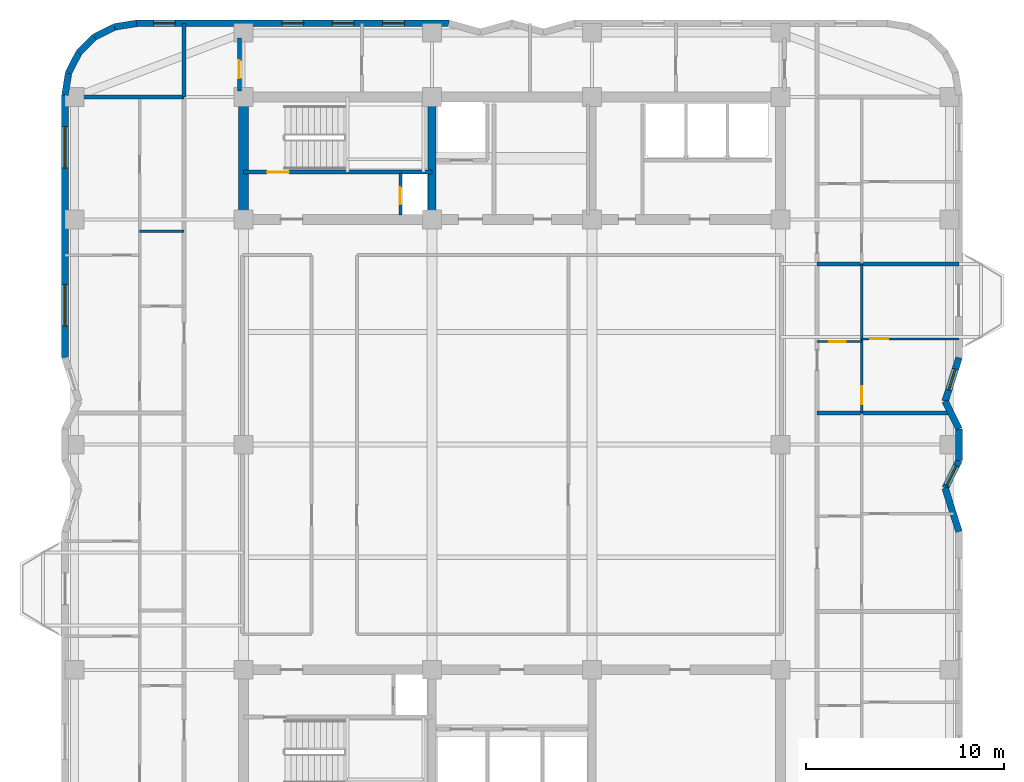
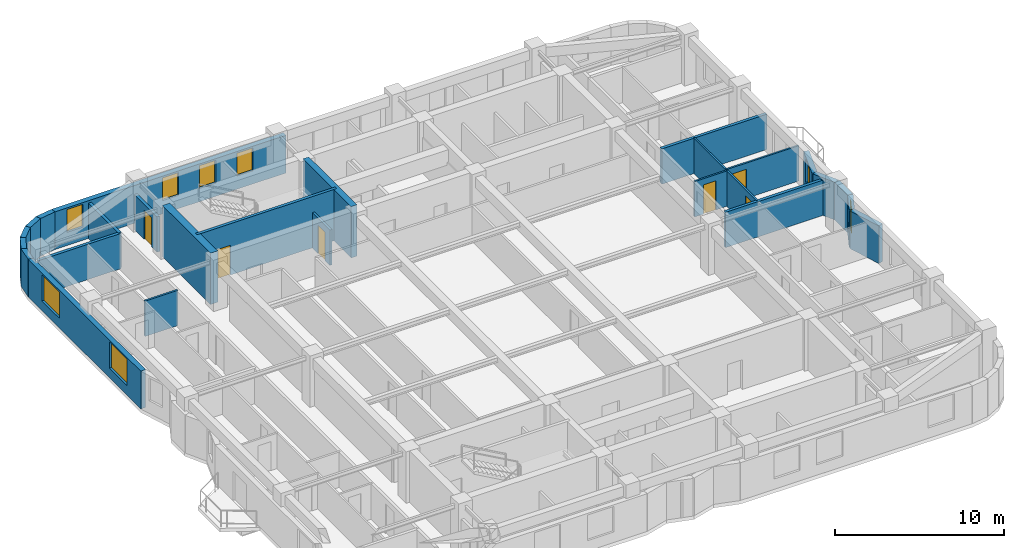
# One storey, part 5 of 9: 25 walls, 8 windows, 6 doors, 14 openings.
"""IFC4 building model written with IfcOpenShell, lengths in metres."""

from ifc_helpers import new_model, si_unit, direction, frame, frame_2d, origin, place, context, subcontext, project, spatial, rectangle, extrude, material, layer, layer_set, type_object, element, fill, save


model = new_model("IFC4")

# Units and contexts
model_context = context("Model", 3, precision=1e-05, world=origin(), true_north=direction((0.0, 1.0)))
body_context = subcontext(model_context, "Body", "Model", "MODEL_VIEW")
ifc_project = project(units=[si_unit("LENGTHUNIT", "METRE"), si_unit("AREAUNIT", "SQUARE_METRE"), si_unit("VOLUMEUNIT", "CUBIC_METRE"), si_unit("PLANEANGLEUNIT", "RADIAN"), si_unit("MASSUNIT", "GRAM", prefix="KILO")], contexts=[model_context])

# Site, building, storey
site_placement = place(None, origin())
site = spatial("IfcSite", under=ifc_project, at=site_placement, CompositionType="ELEMENT")
building_placement = place(site_placement, origin())
building = spatial("IfcBuilding", under=site, at=building_placement, Name="Svetorya Sky Lyceum", CompositionType="ELEMENT")
storey_placement = place(building_placement, frame((0.0, 0.0, 181.10009765625)))
storey = spatial("IfcBuildingStorey", under=building, at=storey_placement, Name="L45", CompositionType="ELEMENT", Elevation=181.10009765625)

# Walls
ifc_material_1 = material(Name="Concrete C40/50", Category="concrete")
ifc_layer_1 = layer(ifc_material_1, 0.39990234375)
ifc_layer_set_1 = layer_set([ifc_layer_1], Name="Concrete C40/50")
wall_type_1 = type_object("IfcWallType", Name="WL-CORE-400", PredefinedType="SHEAR", material=ifc_layer_set_1)
wall_1_placement = place(storey_placement, frame((35.14990234375, 39.85009765625, 0.0), z_axis=(0.0, 0.0, 1.0), x_axis=(0.0, 1.0, 0.0)))
element("IfcWall", 1, at=wall_1_placement, inside=storey, type_object=wall_type_1, Name="L45 NC Internal Shear Web WEB1", PredefinedType="SHEAR", context=body_context, shape_type="SweptSolid", body=[
    extrude(rectangle(XDim=5.699951171875, YDim=0.39990234375, at=frame_2d((2.85009765625, 0.0))), origin(), (0.0, 0.0, 1.0), 3.699951171875),
])
ifc_material_2 = material(Name="Concrete C50/60", Category="concrete")
ifc_layer_2 = layer(ifc_material_2, 0.5)
ifc_layer_set_2 = layer_set([ifc_layer_2], Name="Concrete C50/60")
wall_type_2 = type_object("IfcWallType", Name="WL-CORE-500", PredefinedType="SHEAR", material=ifc_layer_set_2)
wall_2_placement = place(storey_placement, frame((25.60009765625, 39.85009765625, 0.0), z_axis=(0.0, 0.0, 1.0), x_axis=(0.0, 1.0, 0.0)))
element("IfcWall", 2, at=wall_2_placement, inside=storey, type_object=wall_type_2, Name="L45 NC West Core Shear Wall", PredefinedType="SHEAR", context=body_context, shape_type="SweptSolid", body=[
    extrude(rectangle(XDim=5.699951171875, YDim=0.5, at=frame_2d((2.85009765625, 0.0))), origin(), (0.0, 0.0, 1.0), 3.699951171875),
])
ifc_material_3 = material(Name="Putilovo limestone rainscreen on autoclaved cellular masonry", Category="masonry")
ifc_layer_3 = layer(ifc_material_3, 0.340087890625)
ifc_layer_set_3 = layer_set([ifc_layer_3], Name="Putilovo limestone rainscreen on autoclaved cellular masonry")
wall_type_3 = type_object("IfcWallType", Name="WL-EXT-340", PredefinedType="SOLIDWALL", material=ifc_layer_set_3)
wall_3_placement = place(storey_placement, frame((61.830078125, 23.800048828125, 0.0), z_axis=(0.0, 0.0, 1.0), x_axis=(-0.303286588318, 0.95289938889, 0.0)))
element("IfcWall", 3, at=wall_3_placement, inside=storey, type_object=wall_type_3, Name="L45 Limestone Exterior Wall 18M", PredefinedType="SOLIDWALL", context=body_context, shape_type="SweptSolid", body=[
    extrude(rectangle(XDim=2.30859375, YDim=0.340087890625, at=frame_2d((1.154296875, 0.0))), origin(), (0.0, 0.0, 1.0), 2.719970703125),
])

# Wall, opening, window
wall_4_placement = place(storey_placement, frame((61.1298828125, 26.0, 0.0), z_axis=(0.0, 0.0, 1.0), x_axis=(0.447338371726, 0.894364792007, 0.0)))
wall_4 = element("IfcWall", 4, at=wall_4_placement, inside=storey, type_object=wall_type_3, Name="L45 Limestone Exterior Wall 19M", PredefinedType="SOLIDWALL", context=body_context, shape_type="SweptSolid", body=[
    extrude(rectangle(XDim=1.565185546875, YDim=0.340087890625, at=frame_2d((0.78271484375, 0.0))), origin(), (0.0, 0.0, 1.0), 2.719970703125),
])
opening_1_placement = place(wall_4_placement, frame((0.159912109375, 0.0, 0.909912109375)))
opening_1 = element("IfcOpeningElement", 5, at=opening_1_placement, cuts=wall_4, Name="Opening W-R3", PredefinedType="OPENING", context=body_context, shape_type="SweptSolid", body=[
    extrude(rectangle(XDim=1.10009765625, YDim=1.64990234375, at=frame_2d((0.550048828125, 0.824951171875))), frame((0.0, 0.179931640625, 0.0), z_axis=(0.0, -1.0, 0.0), x_axis=(1.0, 0.0, 0.0)), (0.0, 0.0, 1.0), 0.360107421875),
])
ifc_material_4 = material(Name="Thermally broken aluminium frame with triple low-E glazing", Category="aluminium")
window_type_1 = type_object("IfcWindowType", Name="WN-RES-110", PartitioningType="SINGLE_PANEL", PredefinedType="WINDOW", material=ifc_material_4)
window_1_placement = place(opening_1_placement, origin())
window_1 = element("IfcWindow", 6, at=window_1_placement, inside=storey, type_object=window_type_1, Name="L45 Facade Window W-R3.19M.1", OverallHeight=1.64990234375, OverallWidth=1.10009765625, PartitioningType="SINGLE_PANEL", PredefinedType="WINDOW", context=body_context, shape_type="SweptSolid", body=[
    extrude(rectangle(XDim=1.10009765625, YDim=1.64990234375, at=frame_2d((0.550048828125, 0.824951171875))), frame((0.0, 0.030029296875, 0.0), z_axis=(0.0, -1.0, 0.0), x_axis=(1.0, 0.0, 0.0)), (0.0, 0.0, 1.0), 0.06005859375),
])
fill(opening_1, window_1)

# Walls
wall_5_placement = place(storey_placement, frame((61.830078125, 27.39990234375, 0.0), z_axis=(0.0, 0.0, 1.0), x_axis=(0.0, 1.0, 0.0)))
element("IfcWall", 7, at=wall_5_placement, inside=storey, type_object=wall_type_3, Name="L45 Limestone Exterior Wall 20M", PredefinedType="SOLIDWALL", context=body_context, shape_type="SweptSolid", body=[
    extrude(rectangle(XDim=1.60009765625, YDim=0.340087890625, at=frame_2d((0.800048828125, 0.0))), origin(), (0.0, 0.0, 1.0), 2.719970703125),
])
wall_6_placement = place(storey_placement, frame((61.830078125, 29.0, 0.0), z_axis=(0.0, 0.0, 1.0), x_axis=(-0.447338371726, 0.894364792007, 0.0)))
element("IfcWall", 8, at=wall_6_placement, inside=storey, type_object=wall_type_3, Name="L45 Limestone Exterior Wall 21M", PredefinedType="SOLIDWALL", context=body_context, shape_type="SweptSolid", body=[
    extrude(rectangle(XDim=1.565185546875, YDim=0.340087890625, at=frame_2d((0.78271484375, 0.0))), origin(), (0.0, 0.0, 1.0), 2.719970703125),
])

# Wall, opening, window
wall_7_placement = place(storey_placement, frame((61.1298828125, 30.39990234375, 0.0), z_axis=(0.0, 0.0, 1.0), x_axis=(0.303256029766, 0.952909114454, 0.0)))
wall_7 = element("IfcWall", 9, at=wall_7_placement, inside=storey, type_object=wall_type_3, Name="L45 Limestone Exterior Wall 22M", PredefinedType="SOLIDWALL", context=body_context, shape_type="SweptSolid", body=[
    extrude(rectangle(XDim=2.308837890625, YDim=0.340087890625, at=frame_2d((1.154296875, 0.0))), origin(), (0.0, 0.0, 1.0), 2.719970703125),
])
opening_2_placement = place(wall_7_placement, frame((0.604248046875, 0.0, 0.909912109375)))
opening_2 = element("IfcOpeningElement", 10, at=opening_2_placement, cuts=wall_7, Name="Opening W-R3", PredefinedType="OPENING", context=body_context, shape_type="SweptSolid", body=[
    extrude(rectangle(XDim=1.10009765625, YDim=1.64990234375, at=frame_2d((0.550048828125, 0.824951171875))), frame((0.0, 0.179931640625, 0.0), z_axis=(0.0, -1.0, 0.0), x_axis=(1.0, 0.0, 0.0)), (0.0, 0.0, 1.0), 0.360107421875),
])
window_2_placement = place(opening_2_placement, origin())
window_2 = element("IfcWindow", 11, at=window_2_placement, inside=storey, type_object=window_type_1, Name="L45 Facade Window W-R3.22M.1", OverallHeight=1.64990234375, OverallWidth=1.10009765625, PartitioningType="SINGLE_PANEL", PredefinedType="WINDOW", context=body_context, shape_type="SweptSolid", body=[
    extrude(rectangle(XDim=1.10009765625, YDim=1.64990234375, at=frame_2d((0.550048828125, 0.824951171875))), frame((0.0, 0.030029296875, 0.0), z_axis=(0.0, -1.0, 0.0), x_axis=(1.0, 0.0, 0.0)), (0.0, 0.0, 1.0), 0.06005859375),
])
fill(opening_2, window_2)

# Wall, openings, windows
wall_8_placement = place(storey_placement, frame((36.0, 49.530029296875, 0.0), z_axis=(0.0, 0.0, 1.0), x_axis=(-1.0, 0.0, 0.0)))
wall_8 = element("IfcWall", 12, at=wall_8_placement, inside=storey, type_object=wall_type_3, Name="L45 Limestone Exterior Wall 34M", PredefinedType="SOLIDWALL", context=body_context, shape_type="SweptSolid", body=[
    extrude(rectangle(XDim=15.800048828125, YDim=0.340087890625, at=frame_2d((7.89990234375, 0.0))), origin(), (0.0, 0.0, 1.0), 2.719970703125),
])
opening_3_placement = place(wall_8_placement, frame((2.25, 0.0, 0.949951171875)))
opening_3 = element("IfcOpeningElement", 13, at=opening_3_placement, cuts=wall_8, Name="Opening W-R3", PredefinedType="OPENING", context=body_context, shape_type="SweptSolid", body=[
    extrude(rectangle(XDim=1.10009765625, YDim=1.64990234375, at=frame_2d((0.550048828125, 0.824951171875))), frame((0.0, 0.179931640625, 0.0), z_axis=(0.0, -1.0, 0.0), x_axis=(1.0, 0.0, 0.0)), (0.0, 0.0, 1.0), 0.360107421875),
])
opening_4_placement = place(wall_8_placement, frame((4.800048828125, 0.0, 0.949951171875)))
opening_4 = element("IfcOpeningElement", 14, at=opening_4_placement, cuts=wall_8, Name="Opening W-R3", PredefinedType="OPENING", context=body_context, shape_type="SweptSolid", body=[
    extrude(rectangle(XDim=1.10009765625, YDim=1.64990234375, at=frame_2d((0.550048828125, 0.824951171875))), frame((0.0, 0.179931640625, 0.0), z_axis=(0.0, -1.0, 0.0), x_axis=(1.0, 0.0, 0.0)), (0.0, 0.0, 1.0), 0.360107421875),
])
opening_5_placement = place(wall_8_placement, frame((7.35009765625, 0.0, 0.949951171875)))
opening_5 = element("IfcOpeningElement", 15, at=opening_5_placement, cuts=wall_8, Name="Opening W-R3", PredefinedType="OPENING", context=body_context, shape_type="SweptSolid", body=[
    extrude(rectangle(XDim=1.10009765625, YDim=1.64990234375, at=frame_2d((0.550048828125, 0.824951171875))), frame((0.0, 0.179931640625, 0.0), z_axis=(0.0, -1.0, 0.0), x_axis=(1.0, 0.0, 0.0)), (0.0, 0.0, 1.0), 0.360107421875),
])
opening_6_placement = place(wall_8_placement, frame((13.85009765625, 0.0, 0.949951171875)))
opening_6 = element("IfcOpeningElement", 16, at=opening_6_placement, cuts=wall_8, Name="Opening W-R3", PredefinedType="OPENING", context=body_context, shape_type="SweptSolid", body=[
    extrude(rectangle(XDim=1.10009765625, YDim=1.64990234375, at=frame_2d((0.550048828125, 0.824951171875))), frame((0.0, 0.179931640625, 0.0), z_axis=(0.0, -1.0, 0.0), x_axis=(1.0, 0.0, 0.0)), (0.0, 0.0, 1.0), 0.360107421875),
])
window_3_placement = place(opening_3_placement, origin())
window_3 = element("IfcWindow", 17, at=window_3_placement, inside=storey, type_object=window_type_1, Name="L45 Facade Window W-R3.34M.1", OverallHeight=1.64990234375, OverallWidth=1.10009765625, PartitioningType="SINGLE_PANEL", PredefinedType="WINDOW", context=body_context, shape_type="SweptSolid", body=[
    extrude(rectangle(XDim=1.10009765625, YDim=1.64990234375, at=frame_2d((0.550048828125, 0.824951171875))), frame((0.0, 0.030029296875, 0.0), z_axis=(0.0, -1.0, 0.0), x_axis=(1.0, 0.0, 0.0)), (0.0, 0.0, 1.0), 0.06005859375),
])
fill(opening_3, window_3)
window_4_placement = place(opening_4_placement, origin())
window_4 = element("IfcWindow", 18, at=window_4_placement, inside=storey, type_object=window_type_1, Name="L45 Facade Window W-R3.34M.2", OverallHeight=1.64990234375, OverallWidth=1.10009765625, PartitioningType="SINGLE_PANEL", PredefinedType="WINDOW", context=body_context, shape_type="SweptSolid", body=[
    extrude(rectangle(XDim=1.10009765625, YDim=1.64990234375, at=frame_2d((0.550048828125, 0.824951171875))), frame((0.0, 0.030029296875, 0.0), z_axis=(0.0, -1.0, 0.0), x_axis=(1.0, 0.0, 0.0)), (0.0, 0.0, 1.0), 0.06005859375),
])
fill(opening_4, window_4)
window_5_placement = place(opening_5_placement, origin())
window_5 = element("IfcWindow", 19, at=window_5_placement, inside=storey, type_object=window_type_1, Name="L45 Facade Window W-R3.34M.3", OverallHeight=1.64990234375, OverallWidth=1.10009765625, PartitioningType="SINGLE_PANEL", PredefinedType="WINDOW", context=body_context, shape_type="SweptSolid", body=[
    extrude(rectangle(XDim=1.10009765625, YDim=1.64990234375, at=frame_2d((0.550048828125, 0.824951171875))), frame((0.0, 0.030029296875, 0.0), z_axis=(0.0, -1.0, 0.0), x_axis=(1.0, 0.0, 0.0)), (0.0, 0.0, 1.0), 0.06005859375),
])
fill(opening_5, window_5)
window_6_placement = place(opening_6_placement, origin())
window_6 = element("IfcWindow", 20, at=window_6_placement, inside=storey, type_object=window_type_1, Name="L45 Facade Window W-R3.34M.4", OverallHeight=1.64990234375, OverallWidth=1.10009765625, PartitioningType="SINGLE_PANEL", PredefinedType="WINDOW", context=body_context, shape_type="SweptSolid", body=[
    extrude(rectangle(XDim=1.10009765625, YDim=1.64990234375, at=frame_2d((0.550048828125, 0.824951171875))), frame((0.0, 0.030029296875, 0.0), z_axis=(0.0, -1.0, 0.0), x_axis=(1.0, 0.0, 0.0)), (0.0, 0.0, 1.0), 0.06005859375),
])
fill(opening_6, window_6)

# Walls
wall_9_placement = place(storey_placement, frame((20.199951171875, 49.530029296875, 0.0), z_axis=(0.0, 0.0, 1.0), x_axis=(-0.987675651954, -0.156514556949, 0.0)))
element("IfcWall", 21, at=wall_9_placement, inside=storey, type_object=wall_type_3, Name="L45 Limestone Exterior Wall 35M", PredefinedType="SOLIDWALL", context=body_context, shape_type="SweptSolid", body=[
    extrude(rectangle(XDim=1.135498046875, YDim=0.340087890625, at=frame_2d((0.56787109375, 0.0))), origin(), (0.0, 0.0, 1.0), 2.719970703125),
])
for number, where, z_axis, x_axis, name in (
    (22, (19.078369140625, 49.352294921875, 0.0), (0.0, 0.0, 1.0), (-0.891005044957, -0.453993402883, 0.0), "L45 Limestone Exterior Wall 36M"),
    (23, (18.06640625, 48.836669921875, 0.0), (0.0, 0.0, 1.0), (-0.707214252388, -0.706999293649, 0.0), "L45 Limestone Exterior Wall 37M"),
    (24, (17.26318359375, 48.03369140625, 0.0), (0.0, 0.0, 1.0), (-0.453822724105, -0.891091990249, 0.0), "L45 Limestone Exterior Wall 38M"),
    (25, (16.747802734375, 47.021728515625, 0.0), (0.0, 0.0, 1.0), (-0.156481329164, -0.987680916907, 0.0), "L45 Limestone Exterior Wall 39M"),
):
    element("IfcWall", number, at=place(storey_placement, frame(where, z_axis=z_axis, x_axis=x_axis)), inside=storey, type_object=wall_type_3, Name=name, PredefinedType="SOLIDWALL", context=body_context, shape_type="SweptSolid", body=[
        extrude(rectangle(XDim=1.1357421875, YDim=0.340087890625, at=frame_2d((0.56787109375, 0.0))), origin(), (0.0, 0.0, 1.0), 2.719970703125),
    ])

# Wall, openings, windows
wall_10_placement = place(storey_placement, frame((16.570068359375, 45.89990234375, 0.0), z_axis=(0.0, 0.0, 1.0), x_axis=(0.0, -1.0, 0.0)))
wall_10 = element("IfcWall", 26, at=wall_10_placement, inside=storey, type_object=wall_type_3, Name="L45 Limestone Exterior Wall 40M", PredefinedType="SOLIDWALL", context=body_context, shape_type="SweptSolid", body=[
    extrude(rectangle(XDim=13.2998046875, YDim=0.340087890625, at=frame_2d((6.64990234375, 0.0))), origin(), (0.0, 0.0, 1.0), 2.719970703125),
])
opening_7_placement = place(wall_10_placement, frame((1.60009765625, 0.0, 0.699951171875)))
opening_7 = element("IfcOpeningElement", 27, at=opening_7_placement, cuts=wall_10, Name="Opening W-R0", PredefinedType="OPENING", context=body_context, shape_type="SweptSolid", body=[
    extrude(rectangle(XDim=2.10009765625, YDim=1.89990234375, at=frame_2d((1.050048828125, 0.949951171875))), frame((0.0, 0.179931640625, 0.0), z_axis=(0.0, -1.0, 0.0), x_axis=(1.0, 0.0, 0.0)), (0.0, 0.0, 1.0), 0.360107421875),
])
opening_8_placement = place(wall_10_placement, frame((9.60009765625, 0.0, 0.699951171875)))
opening_8 = element("IfcOpeningElement", 28, at=opening_8_placement, cuts=wall_10, Name="Opening W-R0", PredefinedType="OPENING", context=body_context, shape_type="SweptSolid", body=[
    extrude(rectangle(XDim=2.10009765625, YDim=1.89990234375, at=frame_2d((1.050048828125, 0.949951171875))), frame((0.0, 0.179931640625, 0.0), z_axis=(0.0, -1.0, 0.0), x_axis=(1.0, 0.0, 0.0)), (0.0, 0.0, 1.0), 0.360107421875),
])
window_type_2 = type_object("IfcWindowType", Name="WN-RES-210", PartitioningType="TRIPLE_PANEL_VERTICAL", PredefinedType="WINDOW", material=ifc_material_4)
window_7_placement = place(opening_7_placement, origin())
window_7 = element("IfcWindow", 29, at=window_7_placement, inside=storey, type_object=window_type_2, Name="L45 Facade Window W-R0.40M.1", OverallHeight=1.89990234375, OverallWidth=2.10009765625, PartitioningType="SINGLE_PANEL", PredefinedType="WINDOW", context=body_context, shape_type="SweptSolid", body=[
    extrude(rectangle(XDim=2.10009765625, YDim=1.89990234375, at=frame_2d((1.050048828125, 0.949951171875))), frame((0.0, 0.030029296875, 0.0), z_axis=(0.0, -1.0, 0.0), x_axis=(1.0, 0.0, 0.0)), (0.0, 0.0, 1.0), 0.06005859375),
])
fill(opening_7, window_7)
window_8_placement = place(opening_8_placement, origin())
window_8 = element("IfcWindow", 30, at=window_8_placement, inside=storey, type_object=window_type_2, Name="L45 Facade Window W-R0.40M.2", OverallHeight=1.89990234375, OverallWidth=2.10009765625, PartitioningType="SINGLE_PANEL", PredefinedType="WINDOW", context=body_context, shape_type="SweptSolid", body=[
    extrude(rectangle(XDim=2.10009765625, YDim=1.89990234375, at=frame_2d((1.050048828125, 0.949951171875))), frame((0.0, 0.030029296875, 0.0), z_axis=(0.0, -1.0, 0.0), x_axis=(1.0, 0.0, 0.0)), (0.0, 0.0, 1.0), 0.06005859375),
])
fill(opening_8, window_8)

# Wall, opening, door
ifc_material_5 = material(Name="Twin-stud galvanized framing with double fireboard", Category="gypsum")
ifc_layer_4 = layer(ifc_material_5, 0.1201171875)
ifc_layer_set_4 = layer_set([ifc_layer_4], Name="Twin-stud galvanized framing with double fireboard")
wall_type_4 = type_object("IfcWallType", Name="WL-PART-120", PredefinedType="PARTITIONING", material=ifc_layer_set_4)
wall_11_placement = place(storey_placement, frame((54.64990234375, 33.419921875, 0.0), z_axis=(0.0, 0.0, 1.0), x_axis=(1.0, 0.0, 0.0)))
wall_11 = element("IfcWall", 31, at=wall_11_placement, inside=storey, type_object=wall_type_4, Name="L45 Interior Partition E3-WH1", PredefinedType="PARTITIONING", context=body_context, shape_type="SweptSolid", body=[
    extrude(rectangle(XDim=2.25, YDim=0.1201171875, at=frame_2d((1.125, 0.0))), origin(), (0.0, 0.0, 1.0), 2.5498046875),
])
opening_9_placement = place(wall_11_placement, frame((0.60009765625, 0.0, 0.0)))
opening_9 = element("IfcOpeningElement", 32, at=opening_9_placement, cuts=wall_11, Name="Opening D-BT1", PredefinedType="OPENING", context=body_context, shape_type="SweptSolid", body=[
    extrude(rectangle(XDim=0.85009765625, YDim=2.10009765625, at=frame_2d((0.425048828125, 1.050048828125))), frame((0.0, 0.070068359375, 0.0), z_axis=(0.0, -1.0, 0.0), x_axis=(1.0, 0.0, 0.0)), (0.0, 0.0, 1.0), 0.14013671875),
])
ifc_material_6 = material(Name="Moisture-resistant laminate bathroom door")
door_type_1 = type_object("IfcDoorType", Name="DR-WET-850", OperationType="SINGLE_SWING_LEFT", PredefinedType="DOOR", material=ifc_material_6)
door_1_placement = place(opening_9_placement, origin())
door_1 = element("IfcDoor", 33, at=door_1_placement, inside=storey, type_object=door_type_1, Name="Apartment E3 Bathroom Door", OperationType="SINGLE_SWING_RIGHT", OverallHeight=2.10009765625, OverallWidth=0.85009765625, PredefinedType="DOOR", context=body_context, shape_type="SweptSolid", body=[
    extrude(rectangle(XDim=0.85009765625, YDim=2.10009765625, at=frame_2d((0.425048828125, 1.050048828125))), frame((0.0, 0.02490234375, 0.0), z_axis=(0.0, -1.0, 0.0), x_axis=(1.0, 0.0, 0.0)), (0.0, 0.0, 1.0), 0.050048828125),
])
fill(opening_9, door_1)

wall_12_placement = place(storey_placement, frame((56.89990234375, 33.550048828125, 0.0), z_axis=(0.0, 0.0, 1.0), x_axis=(1.0, 0.0, 0.0)))
wall_12 = element("IfcWall", 34, at=wall_12_placement, inside=storey, type_object=wall_type_4, Name="L45 Interior Partition E3-WL1", PredefinedType="PARTITIONING", context=body_context, shape_type="SweptSolid", body=[
    extrude(rectangle(XDim=4.93017578125, YDim=0.1201171875, at=frame_2d((2.465087890625, 0.0))), origin(), (0.0, 0.0, 1.0), 2.5498046875),
])
opening_10_placement = place(wall_12_placement, frame((0.449951171875, 0.0, 0.0)))
opening_10 = element("IfcOpeningElement", 35, at=opening_10_placement, cuts=wall_12, Name="Opening D-RM1", PredefinedType="OPENING", context=body_context, shape_type="SweptSolid", body=[
    extrude(rectangle(XDim=0.89990234375, YDim=2.10009765625, at=frame_2d((0.449951171875, 1.050048828125))), frame((0.0, 0.070068359375, 0.0), z_axis=(0.0, -1.0, 0.0), x_axis=(1.0, 0.0, 0.0)), (0.0, 0.0, 1.0), 0.14013671875),
])
ifc_material_7 = material(Name="Lacquered birch veneer internal door")
door_type_2 = type_object("IfcDoorType", Name="DR-INT-900", OperationType="SINGLE_SWING_LEFT", PredefinedType="DOOR", material=ifc_material_7)
door_2_placement = place(opening_10_placement, origin())
door_2 = element("IfcDoor", 36, at=door_2_placement, inside=storey, type_object=door_type_2, Name="Apartment E3 Bedroom 1 Door", OperationType="SINGLE_SWING_RIGHT", OverallHeight=2.10009765625, OverallWidth=0.89990234375, PredefinedType="DOOR", context=body_context, shape_type="SweptSolid", body=[
    extrude(rectangle(XDim=0.89990234375, YDim=2.10009765625, at=frame_2d((0.449951171875, 1.050048828125))), frame((0.0, 0.02490234375, 0.0), z_axis=(0.0, -1.0, 0.0), x_axis=(1.0, 0.0, 0.0)), (0.0, 0.0, 1.0), 0.050048828125),
])
fill(opening_10, door_2)

wall_13_placement = place(storey_placement, frame((56.89990234375, 29.840087890625, 0.0), z_axis=(0.0, 0.0, 1.0), x_axis=(0.0, 1.0, 0.0)))
wall_13 = element("IfcWall", 37, at=wall_13_placement, inside=storey, type_object=wall_type_4, Name="L45 Interior Partition E3-WV", PredefinedType="PARTITIONING", context=body_context, shape_type="SweptSolid", body=[
    extrude(rectangle(XDim=7.471923828125, YDim=0.1201171875, at=frame_2d((3.73583984375, 0.0))), origin(), (0.0, 0.0, 1.0), 2.5498046875),
])
opening_11_placement = place(wall_13_placement, frame((0.409912109375, 0.0, 0.0)))
opening_11 = element("IfcOpeningElement", 38, at=opening_11_placement, cuts=wall_13, Name="Opening D-RM1", PredefinedType="OPENING", context=body_context, shape_type="SweptSolid", body=[
    extrude(rectangle(XDim=0.89990234375, YDim=2.10009765625, at=frame_2d((0.449951171875, 1.050048828125))), frame((0.0, 0.070068359375, 0.0), z_axis=(0.0, -1.0, 0.0), x_axis=(1.0, 0.0, 0.0)), (0.0, 0.0, 1.0), 0.14013671875),
])
door_3_placement = place(opening_11_placement, origin())
door_3 = element("IfcDoor", 39, at=door_3_placement, inside=storey, type_object=door_type_2, Name="Apartment E3 Living Door", OperationType="SINGLE_SWING_LEFT", OverallHeight=2.10009765625, OverallWidth=0.89990234375, PredefinedType="DOOR", context=body_context, shape_type="SweptSolid", body=[
    extrude(rectangle(XDim=0.89990234375, YDim=2.10009765625, at=frame_2d((0.449951171875, 1.050048828125))), frame((0.0, 0.02490234375, 0.0), z_axis=(0.0, -1.0, 0.0), x_axis=(1.0, 0.0, 0.0)), (0.0, 0.0, 1.0), 0.050048828125),
])
fill(opening_11, door_3)

# Wall
ifc_material_8 = material(Name="Twin-stud galvanized framing with acoustic board", Category="gypsum")
ifc_layer_5 = layer(ifc_material_8, 0.135009765625)
ifc_layer_set_5 = layer_set([ifc_layer_5], Name="Twin-stud galvanized framing with acoustic board")
wall_type_5 = type_object("IfcWallType", Name="WL-PART-135", PredefinedType="PARTITIONING", material=ifc_layer_set_5)
wall_14_placement = place(storey_placement, frame((20.35009765625, 39.0, 0.0), z_axis=(0.0, 0.0, 1.0), x_axis=(1.0, 0.0, 0.0)))
element("IfcWall", 40, at=wall_14_placement, inside=storey, type_object=wall_type_5, Name="L45 Interior Partition W2-WH2", PredefinedType="PARTITIONING", context=body_context, shape_type="SweptSolid", body=[
    extrude(rectangle(XDim=2.25, YDim=0.135009765625, at=frame_2d((1.125, 0.0))), origin(), (0.0, 0.0, 1.0), 2.5498046875),
])

# Wall, opening, door
ifc_material_9 = material(Name="Autoclaved cellular masonry blockwork with acoustic render", Category="masonry")
ifc_layer_6 = layer(ifc_material_9, 0.14990234375)
ifc_layer_set_6 = layer_set([ifc_layer_6], Name="Autoclaved cellular masonry blockwork with acoustic render")
wall_type_6 = type_object("IfcWallType", Name="WL-PART-150", PredefinedType="PARTITIONING", material=ifc_layer_set_6)
wall_15_placement = place(storey_placement, frame((33.550048828125, 39.820068359375, 0.0), z_axis=(0.0, 0.0, 1.0), x_axis=(0.0, 1.0, 0.0)))
wall_15 = element("IfcWall", 41, at=wall_15_placement, inside=storey, type_object=wall_type_6, Name="L45 Interior Partition NC-RSRW", PredefinedType="PARTITIONING", context=body_context, shape_type="SweptSolid", body=[
    extrude(rectangle(XDim=2.1298828125, YDim=0.14990234375, at=frame_2d((1.06494140625, 0.0))), origin(), (0.0, 0.0, 1.0), 2.5498046875),
])
opening_12_placement = place(wall_15_placement, frame((0.550048828125, 0.0, 0.0)))
opening_12 = element("IfcOpeningElement", 42, at=opening_12_placement, cuts=wall_15, Name="Opening D-SH1", PredefinedType="OPENING", context=body_context, shape_type="SweptSolid", body=[
    extrude(rectangle(XDim=0.85009765625, YDim=2.050048828125, at=frame_2d((0.425048828125, 1.02490234375))), frame((0.0, 0.0849609375, 0.0), z_axis=(0.0, -1.0, 0.0), x_axis=(1.0, 0.0, 0.0)), (0.0, 0.0, 1.0), 0.169921875),
])
ifc_material_10 = material(Name="Insulated galvanized riser inspection fire door")
door_type_3 = type_object("IfcDoorType", Name="DR-SHFT-850", OperationType="SINGLE_SWING_LEFT", PredefinedType="TRAPDOOR", material=ifc_material_10)
door_4_placement = place(opening_12_placement, origin())
door_4 = element("IfcDoor", 43, at=door_4_placement, inside=storey, type_object=door_type_3, Name="L45 North Riser Access Door", OperationType="SINGLE_SWING_LEFT", OverallHeight=2.050048828125, OverallWidth=0.85009765625, PredefinedType="TRAPDOOR", context=body_context, shape_type="SweptSolid", body=[
    extrude(rectangle(XDim=0.85009765625, YDim=2.050048828125, at=frame_2d((0.425048828125, 1.02490234375))), frame((0.0, 0.02490234375, 0.0), z_axis=(0.0, -1.0, 0.0), x_axis=(1.0, 0.0, 0.0)), (0.0, 0.0, 1.0), 0.050048828125),
])
fill(opening_12, door_4)

# Walls
ifc_material_11 = material(Name="Autoclaved cellular masonry blockwork with gypsum plaster", Category="masonry")
ifc_layer_7 = layer(ifc_material_11, 0.199951171875)
ifc_layer_set_7 = layer_set([ifc_layer_7], Name="Autoclaved cellular masonry blockwork with gypsum plaster")
wall_type_7 = type_object("IfcWallType", Name="WL-PART-200", PredefinedType="PARTITIONING", material=ifc_layer_set_7)
wall_16_placement = place(storey_placement, frame((16.989990234375, 45.800048828125, 0.0), z_axis=(0.0, 0.0, 1.0), x_axis=(1.0, 0.0, 0.0)))
element("IfcWall", 44, at=wall_16_placement, inside=storey, type_object=wall_type_7, Name="L45 Interior Partition W-CAP-N", PredefinedType="PARTITIONING", context=body_context, shape_type="SweptSolid", body=[
    extrude(rectangle(XDim=5.610107421875, YDim=0.199951171875, at=frame_2d((2.80517578125, 0.0))), origin(), (0.0, 0.0, 1.0), 2.5498046875),
])
wall_17_placement = place(storey_placement, frame((54.64990234375, 29.800048828125, 0.0), z_axis=(0.0, 0.0, 1.0), x_axis=(1.0, 0.0, 0.0)))
element("IfcWall", 45, at=wall_17_placement, inside=storey, type_object=wall_type_7, Name="L45 Interior Partition E-PARTY-2", PredefinedType="PARTITIONING", context=body_context, shape_type="SweptSolid", body=[
    extrude(rectangle(XDim=6.780029296875, YDim=0.199951171875, at=frame_2d((3.39013671875, 0.0))), origin(), (0.0, 0.0, 1.0), 2.5498046875),
])
wall_18_placement = place(storey_placement, frame((54.64990234375, 37.35205078125, 0.0), z_axis=(0.0, 0.0, 1.0), x_axis=(1.0, 0.0, 0.0)))
element("IfcWall", 46, at=wall_18_placement, inside=storey, type_object=wall_type_7, Name="L45 Interior Partition E-PARTY-3", PredefinedType="PARTITIONING", context=body_context, shape_type="SweptSolid", body=[
    extrude(rectangle(XDim=7.18017578125, YDim=0.199951171875, at=frame_2d((3.590087890625, 0.0))), origin(), (0.0, 0.0, 1.0), 2.5498046875),
])
wall_19_placement = place(storey_placement, frame((22.60009765625, 45.800048828125, 0.0), z_axis=(0.0, 0.0, 1.0), x_axis=(0.0, 1.0, 0.0)))
element("IfcWall", 47, at=wall_19_placement, inside=storey, type_object=wall_type_7, Name="L45 Interior Partition WC-NW-END", PredefinedType="PARTITIONING", context=body_context, shape_type="SweptSolid", body=[
    extrude(rectangle(XDim=3.72998046875, YDim=0.199951171875, at=frame_2d((1.864990234375, 0.0))), origin(), (0.0, 0.0, 1.0), 2.5498046875),
])

# Wall, opening, door
wall_20_placement = place(storey_placement, frame((25.39990234375, 46.10009765625, 0.0), z_axis=(0.0, 0.0, 1.0), x_axis=(0.0, 1.0, 0.0)))
wall_20 = element("IfcWall", 48, at=wall_20_placement, inside=storey, type_object=wall_type_7, Name="L45 Interior Partition N4-EW", PredefinedType="PARTITIONING", context=body_context, shape_type="SweptSolid", body=[
    extrude(rectangle(XDim=2.679931640625, YDim=0.199951171875, at=frame_2d((1.33984375, 0.0))), origin(), (0.0, 0.0, 1.0), 2.5498046875),
])
opening_13_placement = place(wall_20_placement, frame((0.64990234375, 0.0, 0.0)))
opening_13 = element("IfcOpeningElement", 49, at=opening_13_placement, cuts=wall_20, Name="Opening D-RM1", PredefinedType="OPENING", context=body_context, shape_type="SweptSolid", body=[
    extrude(rectangle(XDim=0.89990234375, YDim=2.10009765625, at=frame_2d((0.449951171875, 1.050048828125))), frame((0.0, 0.10986328125, 0.0), z_axis=(0.0, -1.0, 0.0), x_axis=(1.0, 0.0, 0.0)), (0.0, 0.0, 1.0), 0.219970703125),
])
door_5_placement = place(opening_13_placement, origin())
door_5 = element("IfcDoor", 50, at=door_5_placement, inside=storey, type_object=door_type_2, Name="L45 NW Study Door", OperationType="SINGLE_SWING_RIGHT", OverallHeight=2.10009765625, OverallWidth=0.89990234375, PredefinedType="DOOR", context=body_context, shape_type="SweptSolid", body=[
    extrude(rectangle(XDim=0.89990234375, YDim=2.10009765625, at=frame_2d((0.449951171875, 1.050048828125))), frame((0.0, 0.02490234375, 0.0), z_axis=(0.0, -1.0, 0.0), x_axis=(1.0, 0.0, 0.0)), (0.0, 0.0, 1.0), 0.050048828125),
])
fill(opening_13, door_5)

ifc_layer_8 = layer(ifc_material_2, 0.199951171875)
ifc_layer_set_8 = layer_set([ifc_layer_8], Name="Concrete C50/60")
wall_type_8 = type_object("IfcWallType", Name="WL-SHW-200", PredefinedType="SHEAR", material=ifc_layer_set_8)
wall_21_placement = place(storey_placement, frame((35.14990234375, 42.0, 0.0), z_axis=(0.0, 0.0, 1.0), x_axis=(-1.0, 0.0, 0.0)))
wall_21 = element("IfcWall", 51, at=wall_21_placement, inside=storey, type_object=wall_type_8, Name="L45 Structural Stair Shaft Wall NC-STW", PredefinedType="SHEAR", context=body_context, shape_type="SweptSolid", body=[
    extrude(rectangle(XDim=9.5498046875, YDim=0.199951171875, at=frame_2d((4.77490234375, 0.0))), origin(), (0.0, 0.0, 1.0), 3.699951171875),
])
opening_14_placement = place(wall_21_placement, frame((7.25, 0.0, 0.0)))
opening_14 = element("IfcOpeningElement", 52, at=opening_14_placement, cuts=wall_21, Name="Opening D-ST1", PredefinedType="OPENING", context=body_context, shape_type="SweptSolid", body=[
    extrude(rectangle(XDim=1.10009765625, YDim=2.14990234375, at=frame_2d((0.550048828125, 1.074951171875))), frame((0.0, 0.10986328125, 0.0), z_axis=(0.0, -1.0, 0.0), x_axis=(1.0, 0.0, 0.0)), (0.0, 0.0, 1.0), 0.219970703125),
])
ifc_material_12 = material(Name="Powder-coated insulated galvanized stair fire door")
door_type_4 = type_object("IfcDoorType", Name="DR-FIRE-1100", OperationType="SINGLE_SWING_LEFT", PredefinedType="DOOR", material=ifc_material_12)
door_6_placement = place(opening_14_placement, origin())
door_6 = element("IfcDoor", 53, at=door_6_placement, inside=storey, type_object=door_type_4, Name="L45 Stair ST-N Vestibule Fire Door", OperationType="SINGLE_SWING_RIGHT", OverallHeight=2.14990234375, OverallWidth=1.10009765625, PredefinedType="DOOR", context=body_context, shape_type="SweptSolid", body=[
    extrude(rectangle(XDim=1.10009765625, YDim=2.14990234375, at=frame_2d((0.550048828125, 1.074951171875))), frame((0.0, 0.02490234375, 0.0), z_axis=(0.0, -1.0, 0.0), x_axis=(1.0, 0.0, 0.0)), (0.0, 0.0, 1.0), 0.050048828125),
])
fill(opening_14, door_6)

save(model, "model.ifc")
